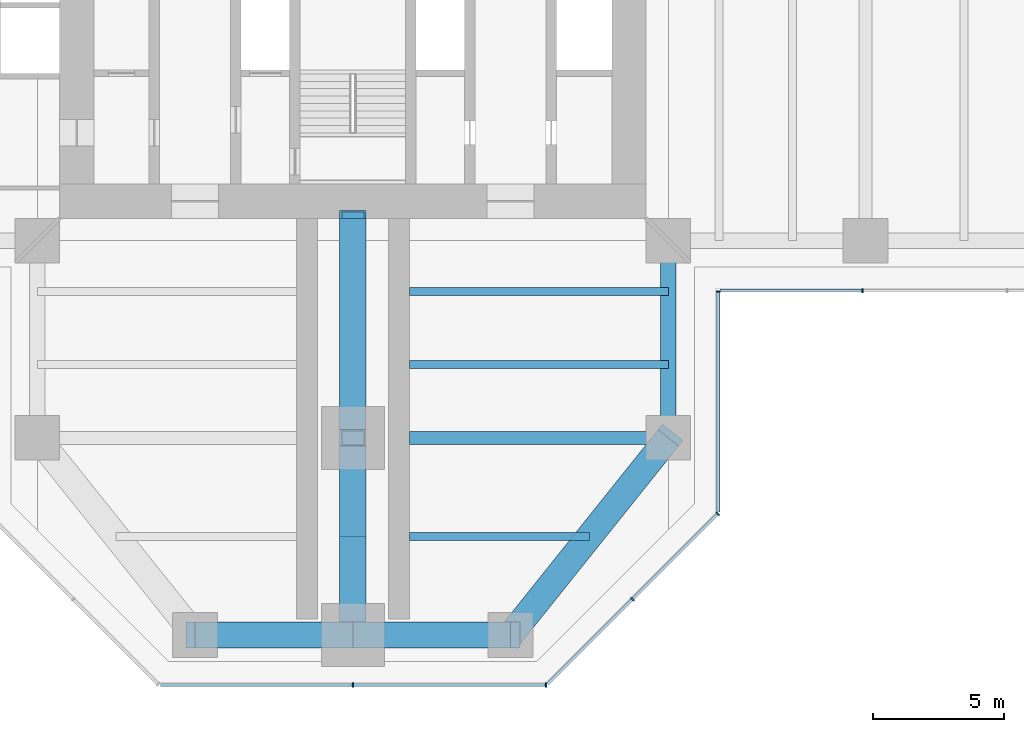
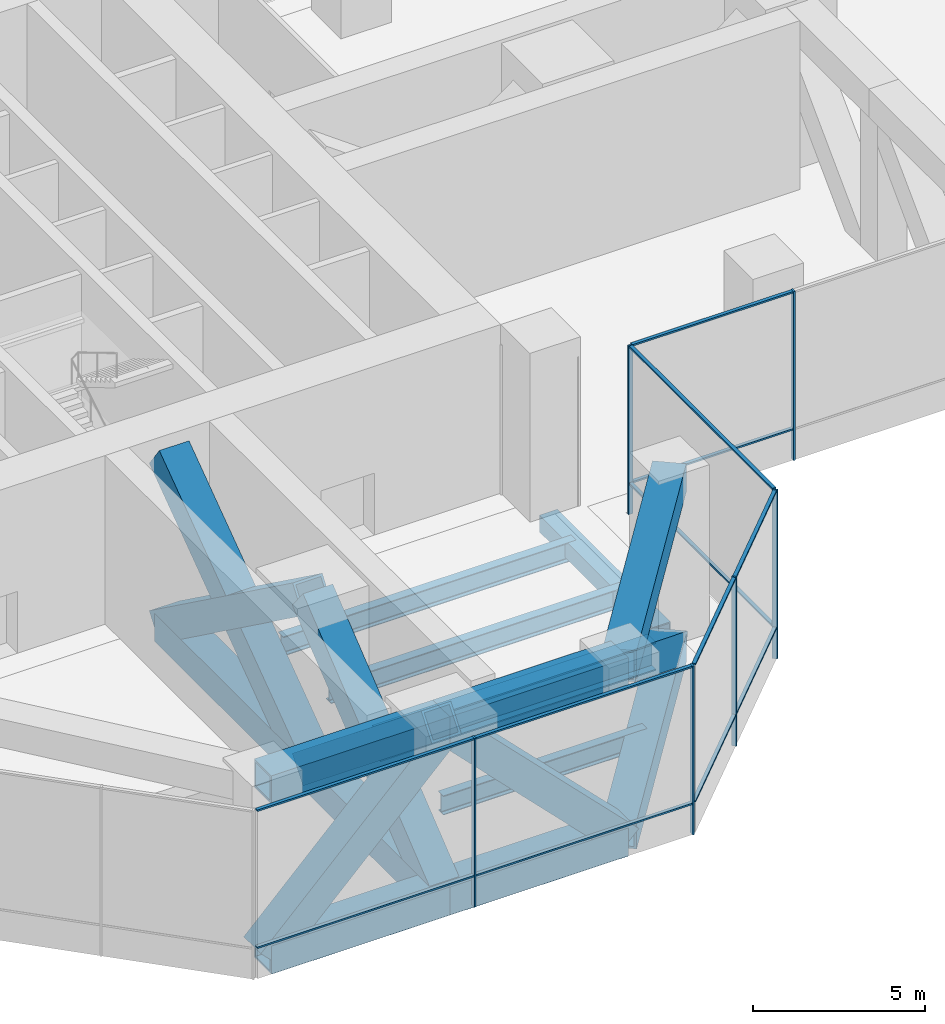
# One storey, part 4 of 19: 31 members, 7 beams, 4 elements without a shape of their own.
"""IFC4 building model written with IfcOpenShell, lengths in metres."""

from ifc_helpers import new_model, si_unit, direction, frame, origin, origin_2d, place, context, subcontext, project, spatial, rectangle, hollow_rectangle, i_section, extrude, material, material_profile, profile_set, type_object, element, aggregate, save


model = new_model("IFC4")

# Units and contexts
model_context = context("Model", 3, precision=1e-05, world=origin(), true_north=direction((0.0, 1.0)))
body_context = subcontext(model_context, "Body", "Model", "MODEL_VIEW")
ifc_project = project(units=[si_unit("LENGTHUNIT", "METRE"), si_unit("AREAUNIT", "SQUARE_METRE"), si_unit("VOLUMEUNIT", "CUBIC_METRE"), si_unit("PLANEANGLEUNIT", "RADIAN"), si_unit("MASSUNIT", "GRAM", prefix="KILO")], contexts=[model_context])

# Site, building, storey
site_placement = place(None, origin())
site = spatial("IfcSite", under=ifc_project, at=site_placement, CompositionType="ELEMENT")
building_placement = place(site_placement, origin())
building = spatial("IfcBuilding", under=site, at=building_placement, Name="Mizan Broadcast Tower", CompositionType="ELEMENT")
storey_placement = place(building_placement, frame((0.0, 0.0, 198.89990234375)))
storey = spatial("IfcBuildingStorey", under=building, at=storey_placement, Name="L46", CompositionType="ELEMENT", Elevation=198.89990234375)

# Members
ifc_material_1 = material(Name="Steel S460", Category="steel")
ifc_material_profile_1 = material_profile(ifc_material_1, hollow_rectangle(XDim=1.0, YDim=1.0, WallThickness=0.080078125, at=origin_2d()), Name="BOX 1000x1000x80")
ifc_profile_set_1 = profile_set([ifc_material_profile_1], Name="Steel S460")
member_type_1 = type_object("IfcMemberType", Name="BELT TRUSS BT3 CHORD BOX 1000x1000x80", PredefinedType="CHORD", material=ifc_profile_set_1)
for number, where, z_axis, x_axis, name in (
    (1, (-6.0, -27.0, -0.679931640625), (1.0, 0.0, 0.0), (0.0, 1.0, 0.0), "Belt truss BT3-S27 bottom chord 2"),
    (2, (-6.0, -27.0, 5.3701171875), (1.0, 0.0, 0.0), (0.0, 1.0, 0.0), "Belt truss BT3-S27 top chord 2"),
    (3, (0.0, -27.0, -0.679931640625), (1.0, 0.0, 0.0), (0.0, 1.0, 0.0), "Belt truss BT3-S27 bottom chord 3"),
    (4, (0.0, -27.0, 5.3701171875), (1.0, 0.0, 0.0), (0.0, 1.0, 0.0), "Belt truss BT3-S27 top chord 3"),
):
    element("IfcMember", number, at=place(storey_placement, frame(where, z_axis=z_axis, x_axis=x_axis)), inside=storey, type_object=member_type_1, Name=name, PredefinedType="CHORD", context=body_context, shape_type="SweptSolid", body=[
        extrude(hollow_rectangle(XDim=1.0, YDim=1.0, WallThickness=0.080078125, at=origin_2d()), origin(), (0.0, 0.0, 1.0), 6.0),
    ])
for number, where, z_axis, x_axis, name in (
    (5, (6.0, -27.0, -0.679931640625), (0.624695047554, 0.780868809443, 0.0), (-0.780868809443, 0.624695047554, 0.0), "Belt truss BT3-S27 bottom chord 4"),
    (6, (6.0, -27.0, 5.3701171875), (0.624695047554, 0.780868809443, 0.0), (-0.780868809443, 0.624695047554, 0.0), "Belt truss BT3-S27 top chord 4"),
):
    element("IfcMember", number, at=place(storey_placement, frame(where, z_axis=z_axis, x_axis=x_axis)), inside=storey, type_object=member_type_1, Name=name, PredefinedType="CHORD", context=body_context, shape_type="SweptSolid", body=[
        extrude(hollow_rectangle(XDim=1.0, YDim=1.0, WallThickness=0.080078125, at=origin_2d()), origin(), (0.0, 0.0, 1.0), 9.604736328125),
    ])
ifc_material_2 = material(Name="Steel S460", Category="steel")
ifc_material_profile_2 = material_profile(ifc_material_2, hollow_rectangle(XDim=1.0, YDim=1.0, WallThickness=0.06005859375, at=origin_2d()), Name="BOX 1000x1000x60")
ifc_profile_set_2 = profile_set([ifc_material_profile_2], Name="Steel S460")
member_type_2 = type_object("IfcMemberType", Name="BELT TRUSS BT3 DIAGONAL BOX 1000x1000x60", PredefinedType="BRACE", material=ifc_profile_set_2)
for number, where, z_axis, x_axis, name in (
    (7, (-6.0, -27.0, -0.679931640625), (0.704163801085, 0.0, 0.710037563261), (0.0, 1.0, 0.0), "Belt truss BT3-S27 diagonal 2"),
    (8, (6.0, -27.0, -0.679931640625), (-0.704163801085, 0.0, 0.710037563261), (0.0, -1.0, 0.0), "Belt truss BT3-S27 diagonal 3"),
):
    element("IfcMember", number, at=place(storey_placement, frame(where, z_axis=z_axis, x_axis=x_axis)), inside=storey, type_object=member_type_2, Name=name, PredefinedType="BRACE", context=body_context, shape_type="SweptSolid", body=[
        extrude(hollow_rectangle(XDim=1.0, YDim=1.0, WallThickness=0.06005859375, at=origin_2d()), origin(), (0.0, 0.0, 1.0), 8.520751953125),
    ])
member_1_placement = place(storey_placement, frame((12.0, -19.5, -0.679931640625), z_axis=(-0.528571606356, -0.660714507945, 0.532980671269), x_axis=(0.780868809443, -0.624695047554, 0.0)))
element("IfcMember", 9, at=member_1_placement, inside=storey, type_object=member_type_2, Name="Belt truss BT3-S27 diagonal 4", PredefinedType="BRACE", context=body_context, shape_type="SweptSolid", body=[
    extrude(hollow_rectangle(XDim=1.0, YDim=1.0, WallThickness=0.06005859375, at=origin_2d()), origin(), (0.0, 0.0, 1.0), 11.351318359375),
])

# Beams
ifc_material_3 = material(Name="Steel S355", Category="steel")
ifc_material_profile_3 = material_profile(ifc_material_3, hollow_rectangle(XDim=0.60009765625, YDim=0.60009765625, WallThickness=0.0400390625, at=origin_2d()), Name="BOX 600x600x40")
ifc_profile_set_3 = profile_set([ifc_material_profile_3], Name="Steel S355")
beam_type_1 = type_object("IfcBeamType", Name="EDGE BEAM BOX 600x600x40", PredefinedType="SPANDREL", material=ifc_profile_set_3)
beam_1_placement = place(storey_placement, frame((12.0, -12.449951171875, -0.47998046875), z_axis=(0.0, -1.0, 0.0), x_axis=(1.0, 0.0, 0.0)))
element("IfcBeam", 10, at=beam_1_placement, inside=storey, type_object=beam_type_1, Name="Edge beam BOX 600x600x40 L46 south arm", PredefinedType="SPANDREL", context=body_context, shape_type="SweptSolid", body=[
    extrude(hollow_rectangle(XDim=0.60009765625, YDim=0.60009765625, WallThickness=0.0400390625, at=origin_2d()), origin(), (0.0, 0.0, 1.0), 6.60009765625),
])
ifc_material_4 = material(Name="Steel S460", Category="steel")
ifc_material_profile_4 = material_profile(ifc_material_4, i_section(OverallWidth=0.5, OverallDepth=1.0, WebThickness=0.02490234375, FlangeThickness=0.050048828125, at=origin_2d()), Name="WPG 1000x500")
ifc_profile_set_4 = profile_set([ifc_material_profile_4], Name="Steel S460")
beam_type_2 = type_object("IfcBeamType", Name="GIRDER WPG 1000x500", PredefinedType="BEAM", material=ifc_profile_set_4)
beam_2_placement = place(storey_placement, frame((11.408935546875, -19.5, -0.679931640625), z_axis=(-1.0, 0.0, 0.0), x_axis=(0.0, -1.0, 0.0)))
element("IfcBeam", 11, at=beam_2_placement, inside=storey, type_object=beam_type_2, Name="Girder WPG 1000x500 L46 south arm", PredefinedType="BEAM", context=body_context, shape_type="SweptSolid", body=[
    extrude(i_section(OverallWidth=0.5, OverallDepth=1.0, WebThickness=0.02490234375, FlangeThickness=0.050048828125, at=origin_2d()), origin(), (0.0, 0.0, 1.0), 9.259033203125),
])

# Curtain wall, member
ifc_material_5 = material(Name="Aluminium framed glazing", Category="aluminium")
curtain_wall_type = type_object("IfcCurtainWallType", Name="PLANT LOUVRE", PredefinedType="USERDEFINED", material=ifc_material_5)
curtain_wall_1_placement = place(storey_placement, origin())
curtain_wall_1 = element("IfcCurtainWall", 12, at=curtain_wall_1_placement, inside=storey, type_object=curtain_wall_type, Name="Plant louvre L46 E side", ObjectType="PLANT LOUVRE", PredefinedType="USERDEFINED")
ifc_material_6 = material(Name="Aluminium, pale anodised", Category="aluminium")
ifc_material_profile_5 = material_profile(ifc_material_6, rectangle(XDim=0.159912109375, YDim=0.06005859375, at=origin_2d()), Name="MULLION 160x60")
ifc_profile_set_5 = profile_set([ifc_material_profile_5], Name="Aluminium, pale anodised")
member_type_3 = type_object("IfcMemberType", Name="INNER SKIN MULLION 60x160", PredefinedType="MULLION", material=ifc_profile_set_5)
member_2_placement = place(storey_placement, frame((19.390869140625, -13.89990234375, 0.0), z_axis=(0.0, 0.0, 1.0), x_axis=(0.0, 1.0, 0.0)))
member_2 = element("IfcMember", 13, at=member_2_placement, type_object=member_type_3, Name="Plant louvre L46 E side mullion 2", PredefinedType="MULLION", context=body_context, shape_type="SweptSolid", body=[
    extrude(rectangle(XDim=0.159912109375, YDim=0.06005859375, at=origin_2d()), origin(), (0.0, 0.0, 1.0), 6.0),
])

# Curtain wall, members
curtain_wall_2_placement = place(storey_placement, origin())
curtain_wall_2 = element("IfcCurtainWall", 14, at=curtain_wall_2_placement, inside=storey, type_object=curtain_wall_type, Name="Plant louvre L46 S end", ObjectType="PLANT LOUVRE", PredefinedType="USERDEFINED")
member_3_placement = place(storey_placement, frame((0.0, -28.89990234375, 0.0), z_axis=(0.0, 0.0, 1.0), x_axis=(0.0, 1.0, 0.0)))
member_3 = element("IfcMember", 15, at=member_3_placement, type_object=member_type_3, Name="Plant louvre L46 S end mullion 2", PredefinedType="MULLION", context=body_context, shape_type="SweptSolid", body=[
    extrude(rectangle(XDim=0.159912109375, YDim=0.06005859375, at=origin_2d()), origin(), (0.0, 0.0, 1.0), 6.0),
])
member_4_placement = place(storey_placement, frame((7.3427734375, -28.89990234375, 0.0), z_axis=(0.0, 0.0, 1.0), x_axis=(0.0, 1.0, 0.0)))
member_4 = element("IfcMember", 16, at=member_4_placement, type_object=member_type_3, Name="Plant louvre L46 S end mullion 3", PredefinedType="MULLION", context=body_context, shape_type="SweptSolid", body=[
    extrude(rectangle(XDim=0.159912109375, YDim=0.06005859375, at=origin_2d()), origin(), (0.0, 0.0, 1.0), 6.0),
])

curtain_wall_3_placement = place(storey_placement, origin())
curtain_wall_3 = element("IfcCurtainWall", 17, at=curtain_wall_3_placement, inside=storey, type_object=curtain_wall_type, Name="Plant louvre L46 S chamfer", ObjectType="PLANT LOUVRE", PredefinedType="USERDEFINED")
member_5_placement = place(storey_placement, frame((10.636474609375, -25.636474609375, 0.0), z_axis=(0.0, 0.0, 1.0), x_axis=(-0.707106781187, 0.707106781187, 0.0)))
member_5 = element("IfcMember", 18, at=member_5_placement, type_object=member_type_3, Name="Plant louvre L46 S chamfer mullion 2", PredefinedType="MULLION", context=body_context, shape_type="SweptSolid", body=[
    extrude(rectangle(XDim=0.159912109375, YDim=0.06005859375, at=origin_2d()), origin(), (0.0, 0.0, 1.0), 6.0),
])
member_6_placement = place(storey_placement, frame((13.87890625, -22.39404296875, 0.0), z_axis=(0.0, 0.0, 1.0), x_axis=(-0.707106781187, 0.707106781187, 0.0)))
member_6 = element("IfcMember", 19, at=member_6_placement, type_object=member_type_3, Name="Plant louvre L46 S chamfer mullion 3", PredefinedType="MULLION", context=body_context, shape_type="SweptSolid", body=[
    extrude(rectangle(XDim=0.159912109375, YDim=0.06005859375, at=origin_2d()), origin(), (0.0, 0.0, 1.0), 6.0),
])

# Curtain wall, member
curtain_wall_4_placement = place(storey_placement, origin())
curtain_wall_4 = element("IfcCurtainWall", 20, at=curtain_wall_4_placement, inside=storey, type_object=curtain_wall_type, Name="Plant louvre L46 S side", ObjectType="PLANT LOUVRE", PredefinedType="USERDEFINED")
member_7_placement = place(storey_placement, frame((13.89990234375, -13.929931640625, 0.0), z_axis=(0.0, 0.0, 1.0), x_axis=(-1.0, 0.0, 0.0)))
member_7 = element("IfcMember", 21, at=member_7_placement, type_object=member_type_3, Name="Plant louvre L46 S side mullion 2", PredefinedType="MULLION", context=body_context, shape_type="SweptSolid", body=[
    extrude(rectangle(XDim=0.159912109375, YDim=0.06005859375, at=origin_2d()), origin(), (0.0, 0.0, 1.0), 6.0),
])

# Member
ifc_material_7 = material(Name="Aluminium, pale anodised", Category="aluminium")
ifc_material_profile_6 = material_profile(ifc_material_7, rectangle(XDim=0.1201171875, YDim=0.06005859375, at=origin_2d()), Name="TRANSOM 120x60")
ifc_profile_set_6 = profile_set([ifc_material_profile_6], Name="Aluminium, pale anodised")
member_type_4 = type_object("IfcMemberType", Name="INNER SKIN TRANSOM 60x120", PredefinedType="USERDEFINED", material=ifc_profile_set_6)
member_8_placement = place(storey_placement, frame((13.9599609375, -13.89990234375, 1.10009765625), z_axis=(1.0, 0.0, 0.0), x_axis=(0.0, 1.0, 0.0)))
member_8 = element("IfcMember", 22, at=member_8_placement, type_object=member_type_4, Name="Plant louvre L46 E side transom 1.1", ObjectType="TRANSOM", PredefinedType="USERDEFINED", context=body_context, shape_type="SweptSolid", body=[
    extrude(rectangle(XDim=0.1201171875, YDim=0.06005859375, at=origin_2d()), origin(), (0.0, 0.0, 1.0), 5.40087890625),
])

member_9_placement = place(storey_placement, frame((13.9599609375, -13.89990234375, 5.97021484375), z_axis=(1.0, 0.0, 0.0), x_axis=(0.0, 1.0, 0.0)))
member_9 = element("IfcMember", 23, at=member_9_placement, type_object=member_type_4, Name="Plant louvre L46 E side transom 1.2", ObjectType="TRANSOM", PredefinedType="USERDEFINED", context=body_context, shape_type="SweptSolid", body=[
    extrude(rectangle(XDim=0.1201171875, YDim=0.06005859375, at=origin_2d()), origin(), (0.0, 0.0, 1.0), 5.40087890625),
])

aggregate(curtain_wall_1, [member_2, member_8, member_9])

member_10_placement = place(storey_placement, frame((-7.312744140625, -28.89990234375, 1.10009765625), z_axis=(1.0, 0.0, 0.0), x_axis=(0.0, 1.0, 0.0)))
member_10 = element("IfcMember", 24, at=member_10_placement, type_object=member_type_4, Name="Plant louvre L46 S end transom 1.1", ObjectType="TRANSOM", PredefinedType="USERDEFINED", context=body_context, shape_type="SweptSolid", body=[
    extrude(rectangle(XDim=0.1201171875, YDim=0.06005859375, at=origin_2d()), origin(), (0.0, 0.0, 1.0), 7.28271484375),
])

member_11_placement = place(storey_placement, frame((-7.312744140625, -28.89990234375, 5.97021484375), z_axis=(1.0, 0.0, 0.0), x_axis=(0.0, 1.0, 0.0)))
member_11 = element("IfcMember", 25, at=member_11_placement, type_object=member_type_4, Name="Plant louvre L46 S end transom 1.2", ObjectType="TRANSOM", PredefinedType="USERDEFINED", context=body_context, shape_type="SweptSolid", body=[
    extrude(rectangle(XDim=0.1201171875, YDim=0.06005859375, at=origin_2d()), origin(), (0.0, 0.0, 1.0), 7.28271484375),
])

member_12_placement = place(storey_placement, frame((0.030029296875, -28.89990234375, 1.10009765625), z_axis=(1.0, 0.0, 0.0), x_axis=(0.0, 1.0, 0.0)))
member_12 = element("IfcMember", 26, at=member_12_placement, type_object=member_type_4, Name="Plant louvre L46 S end transom 2.1", ObjectType="TRANSOM", PredefinedType="USERDEFINED", context=body_context, shape_type="SweptSolid", body=[
    extrude(rectangle(XDim=0.1201171875, YDim=0.06005859375, at=origin_2d()), origin(), (0.0, 0.0, 1.0), 7.28271484375),
])

member_13_placement = place(storey_placement, frame((0.030029296875, -28.89990234375, 5.97021484375), z_axis=(1.0, 0.0, 0.0), x_axis=(0.0, 1.0, 0.0)))
member_13 = element("IfcMember", 27, at=member_13_placement, type_object=member_type_4, Name="Plant louvre L46 S end transom 2.2", ObjectType="TRANSOM", PredefinedType="USERDEFINED", context=body_context, shape_type="SweptSolid", body=[
    extrude(rectangle(XDim=0.1201171875, YDim=0.06005859375, at=origin_2d()), origin(), (0.0, 0.0, 1.0), 7.28271484375),
])

aggregate(curtain_wall_2, [member_3, member_4, member_10, member_11, member_12, member_13])

member_14_placement = place(storey_placement, frame((7.415283203125, -28.857666015625, 1.10009765625), z_axis=(0.707106781187, 0.707106781187, 0.0), x_axis=(-0.707106781187, 0.707106781187, 0.0)))
member_14 = element("IfcMember", 28, at=member_14_placement, type_object=member_type_4, Name="Plant louvre L46 S chamfer transom 1.1", ObjectType="TRANSOM", PredefinedType="USERDEFINED", context=body_context, shape_type="SweptSolid", body=[
    extrude(rectangle(XDim=0.1201171875, YDim=0.06005859375, at=origin_2d()), origin(), (0.0, 0.0, 1.0), 4.525390625),
])

member_15_placement = place(storey_placement, frame((7.415283203125, -28.857666015625, 5.97021484375), z_axis=(0.707106781187, 0.707106781187, 0.0), x_axis=(-0.707106781187, 0.707106781187, 0.0)))
member_15 = element("IfcMember", 29, at=member_15_placement, type_object=member_type_4, Name="Plant louvre L46 S chamfer transom 1.2", ObjectType="TRANSOM", PredefinedType="USERDEFINED", context=body_context, shape_type="SweptSolid", body=[
    extrude(rectangle(XDim=0.1201171875, YDim=0.06005859375, at=origin_2d()), origin(), (0.0, 0.0, 1.0), 4.525390625),
])

member_16_placement = place(storey_placement, frame((10.65771484375, -25.615234375, 1.10009765625), z_axis=(0.707106781187, 0.707106781187, 0.0), x_axis=(-0.707106781187, 0.707106781187, 0.0)))
member_16 = element("IfcMember", 30, at=member_16_placement, type_object=member_type_4, Name="Plant louvre L46 S chamfer transom 2.1", ObjectType="TRANSOM", PredefinedType="USERDEFINED", context=body_context, shape_type="SweptSolid", body=[
    extrude(rectangle(XDim=0.1201171875, YDim=0.06005859375, at=origin_2d()), origin(), (0.0, 0.0, 1.0), 4.525390625),
])

member_17_placement = place(storey_placement, frame((10.65771484375, -25.615234375, 5.97021484375), z_axis=(0.707106781187, 0.707106781187, 0.0), x_axis=(-0.707106781187, 0.707106781187, 0.0)))
member_17 = element("IfcMember", 31, at=member_17_placement, type_object=member_type_4, Name="Plant louvre L46 S chamfer transom 2.2", ObjectType="TRANSOM", PredefinedType="USERDEFINED", context=body_context, shape_type="SweptSolid", body=[
    extrude(rectangle(XDim=0.1201171875, YDim=0.06005859375, at=origin_2d()), origin(), (0.0, 0.0, 1.0), 4.525390625),
])

aggregate(curtain_wall_3, [member_5, member_6, member_14, member_15, member_16, member_17])

member_18_placement = place(storey_placement, frame((13.89990234375, -22.312744140625, 1.10009765625), z_axis=(0.0, 1.0, 0.0), x_axis=(-1.0, 0.0, 0.0)))
member_18 = element("IfcMember", 32, at=member_18_placement, type_object=member_type_4, Name="Plant louvre L46 S side transom 1.1", ObjectType="TRANSOM", PredefinedType="USERDEFINED", context=body_context, shape_type="SweptSolid", body=[
    extrude(rectangle(XDim=0.1201171875, YDim=0.06005859375, at=origin_2d()), origin(), (0.0, 0.0, 1.0), 8.352783203125),
])

member_19_placement = place(storey_placement, frame((13.89990234375, -22.312744140625, 5.97021484375), z_axis=(0.0, 1.0, 0.0), x_axis=(-1.0, 0.0, 0.0)))
member_19 = element("IfcMember", 33, at=member_19_placement, type_object=member_type_4, Name="Plant louvre L46 S side transom 1.2", ObjectType="TRANSOM", PredefinedType="USERDEFINED", context=body_context, shape_type="SweptSolid", body=[
    extrude(rectangle(XDim=0.1201171875, YDim=0.06005859375, at=origin_2d()), origin(), (0.0, 0.0, 1.0), 8.352783203125),
])

aggregate(curtain_wall_4, [member_7, member_18, member_19])

# Beams
ifc_material_8 = material(Name="Steel S460", Category="steel")
ifc_material_profile_7 = material_profile(ifc_material_8, hollow_rectangle(XDim=1.0, YDim=1.0, WallThickness=0.080078125, at=origin_2d()), Name="BOX 1000x1000x80")
ifc_profile_set_7 = profile_set([ifc_material_profile_7], Name="Steel S460")
beam_type_3 = type_object("IfcBeamType", Name="OUTRIGGER TRUSS OT3 CHORD BOX 1000x1000x80", PredefinedType="BEAM", material=ifc_profile_set_7)
beam_3_placement = place(storey_placement, frame((0.0, -11.14990234375, -0.679931640625), z_axis=(0.0, -1.0, 0.0), x_axis=(1.0, 0.0, 0.0)))
element("IfcBeam", 34, at=beam_3_placement, inside=storey, type_object=beam_type_3, Name="Outrigger truss OT3-S bottom chord 1", PredefinedType="BEAM", context=body_context, shape_type="SweptSolid", body=[
    extrude(hollow_rectangle(XDim=1.0, YDim=1.0, WallThickness=0.080078125, at=origin_2d()), origin(), (0.0, 0.0, 1.0), 8.35009765625),
])
beam_4_placement = place(storey_placement, frame((0.0, -19.5, -0.679931640625), z_axis=(0.0, -1.0, 0.0), x_axis=(1.0, 0.0, 0.0)))
element("IfcBeam", 35, at=beam_4_placement, inside=storey, type_object=beam_type_3, Name="Outrigger truss OT3-S bottom chord 2", PredefinedType="BEAM", context=body_context, shape_type="SweptSolid", body=[
    extrude(hollow_rectangle(XDim=1.0, YDim=1.0, WallThickness=0.080078125, at=origin_2d()), origin(), (0.0, 0.0, 1.0), 7.5),
])

# Members
ifc_material_9 = material(Name="Steel S460", Category="steel")
ifc_material_profile_8 = material_profile(ifc_material_9, hollow_rectangle(XDim=1.0, YDim=1.0, WallThickness=0.080078125, at=origin_2d()), Name="BOX 1000x1000x80")
ifc_profile_set_8 = profile_set([ifc_material_profile_8], Name="Steel S460")
member_type_5 = type_object("IfcMemberType", Name="OUTRIGGER TRUSS OT3 DIAGONAL BOX 1000x1000x80", PredefinedType="BRACE", material=ifc_profile_set_8)
for number, where, z_axis, x_axis, name in (
    (36, (0.0, -11.14990234375, -0.679931640625), (0.0, -0.809784242605, 0.586727773698), (1.0, 0.0, 0.0), "Outrigger truss OT3-S panel 1 diagonal 1"),
    (37, (0.0, -11.14990234375, 5.3701171875), (0.0, -0.809784242605, -0.586727773698), (1.0, 0.0, 0.0), "Outrigger truss OT3-S panel 1 diagonal 2"),
):
    element("IfcMember", number, at=place(storey_placement, frame(where, z_axis=z_axis, x_axis=x_axis)), inside=storey, type_object=member_type_5, Name=name, PredefinedType="BRACE", context=body_context, shape_type="SweptSolid", body=[
        extrude(hollow_rectangle(XDim=1.0, YDim=1.0, WallThickness=0.080078125, at=origin_2d()), origin(), (0.0, 0.0, 1.0), 10.3115234375),
    ])
for number, where, z_axis, x_axis, name in (
    (38, (0.0, -19.5, -0.679931640625), (0.0, -0.77832876476, 0.627856937484), (1.0, 0.0, 0.0), "Outrigger truss OT3-S panel 2 diagonal 1"),
    (39, (0.0, -19.5, 5.3701171875), (0.0, -0.77832876476, -0.627856937484), (1.0, 0.0, 0.0), "Outrigger truss OT3-S panel 2 diagonal 2"),
):
    element("IfcMember", number, at=place(storey_placement, frame(where, z_axis=z_axis, x_axis=x_axis)), inside=storey, type_object=member_type_5, Name=name, PredefinedType="BRACE", context=body_context, shape_type="SweptSolid", body=[
        extrude(hollow_rectangle(XDim=1.0, YDim=1.0, WallThickness=0.080078125, at=origin_2d()), origin(), (0.0, 0.0, 1.0), 9.635986328125),
    ])

# Beams
ifc_material_10 = material(Name="Steel S355", Category="steel")
ifc_material_profile_9 = material_profile(ifc_material_10, i_section(OverallWidth=0.300048828125, OverallDepth=0.68994140625, WebThickness=0.014404296875, FlangeThickness=0.027099609375, FilletRadius=0.027099609375, at=origin_2d()), Name="HEA 700")
ifc_profile_set_9 = profile_set([ifc_material_profile_9], Name="Steel S355")
beam_type_4 = type_object("IfcBeamType", Name="SECONDARY BEAM HEA 700", PredefinedType="JOIST", material=ifc_profile_set_9)
for number, where, z_axis, x_axis, name in (
    (40, (12.0, -13.933349609375, -0.52490234375), (-1.0, 0.0, 0.0), (0.0, -1.0, 0.0), "Secondary beam HEA 700 L46 south arm"),
    (41, (12.0, -16.716552734375, -0.52490234375), (-1.0, 0.0, 0.0), (0.0, -1.0, 0.0), "Secondary beam HEA 700 L46 south arm"),
):
    element("IfcBeam", number, at=place(storey_placement, frame(where, z_axis=z_axis, x_axis=x_axis)), inside=storey, type_object=beam_type_4, Name=name, PredefinedType="JOIST", context=body_context, shape_type="SweptSolid", body=[
        extrude(i_section(OverallWidth=0.300048828125, OverallDepth=0.68994140625, WebThickness=0.014404296875, FlangeThickness=0.027099609375, FilletRadius=0.027099609375, at=origin_2d()), origin(), (0.0, 0.0, 1.0), 9.85009765625),
    ])
beam_5_placement = place(storey_placement, frame((9.0, -23.25, -0.52490234375), z_axis=(-1.0, 0.0, 0.0), x_axis=(0.0, -1.0, 0.0)))
element("IfcBeam", 42, at=beam_5_placement, inside=storey, type_object=beam_type_4, Name="Secondary beam HEA 700 L46 south arm", PredefinedType="JOIST", context=body_context, shape_type="SweptSolid", body=[
    extrude(i_section(OverallWidth=0.300048828125, OverallDepth=0.68994140625, WebThickness=0.014404296875, FlangeThickness=0.027099609375, FilletRadius=0.027099609375, at=origin_2d()), origin(), (0.0, 0.0, 1.0), 6.85009765625),
])

save(model, "model.ifc")
